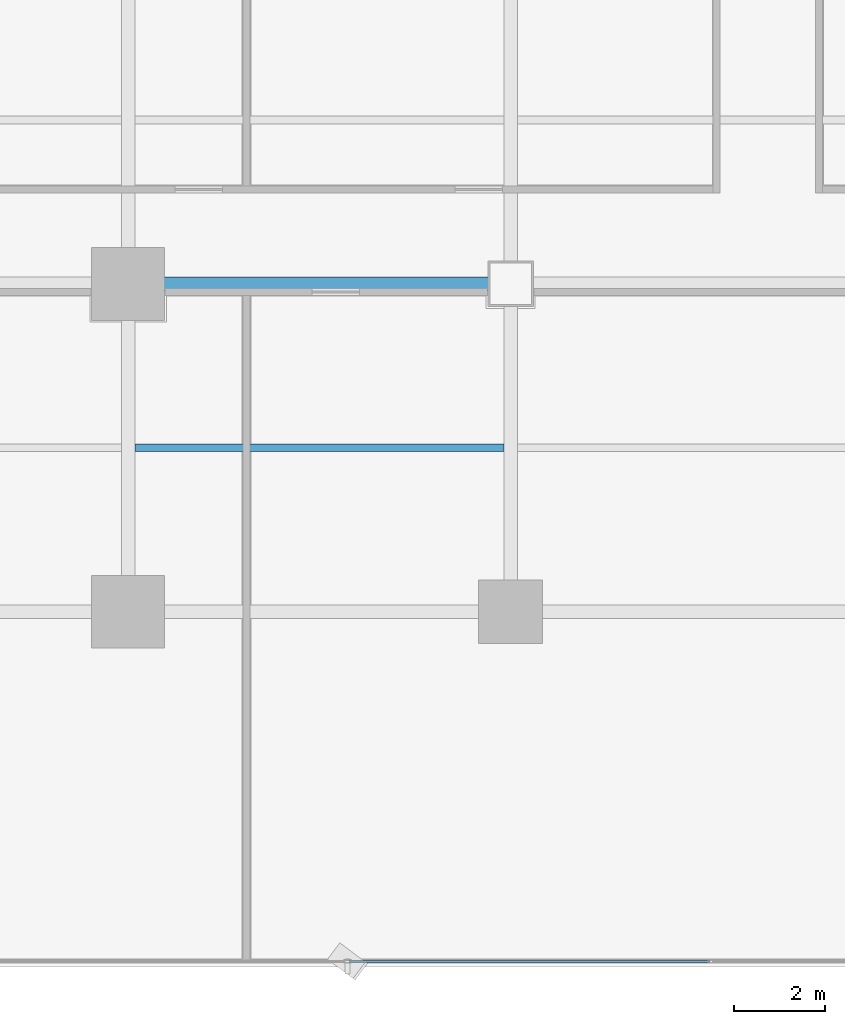
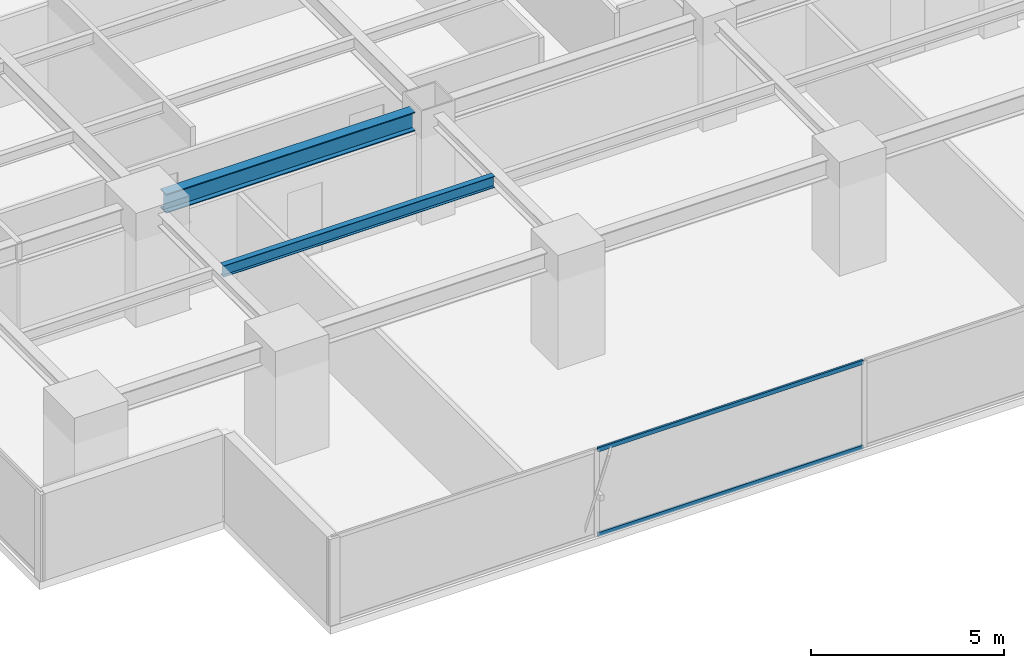
# One storey, part 5 of 34: 2 beams, 2 members, 1 element without a shape of its own.
"""IFC4 building model written with IfcOpenShell, lengths in metres."""

from ifc_helpers import new_model, si_unit, direction, frame, origin, origin_2d, place, context, subcontext, project, spatial, hollow_rectangle, i_section, extrude, source, transform, mapped, material, layer, layer_set, material_profile, profile_set, type_object, element, aggregate, save


model = new_model("IFC4")

# Units and contexts
model_context = context("Model", 3, precision=1e-05, world=origin(), true_north=direction((0.0, 1.0)))
body_context = subcontext(model_context, "Body", "Model", "MODEL_VIEW")
ifc_project = project(units=[si_unit("LENGTHUNIT", "METRE"), si_unit("AREAUNIT", "SQUARE_METRE"), si_unit("VOLUMEUNIT", "CUBIC_METRE"), si_unit("PLANEANGLEUNIT", "RADIAN"), si_unit("MASSUNIT", "GRAM", prefix="KILO")], contexts=[model_context])

# Site, building, storey
site_placement = place(None, origin())
site = spatial("IfcSite", under=ifc_project, at=site_placement, CompositionType="ELEMENT")
building_placement = place(site_placement, origin())
building = spatial("IfcBuilding", under=site, at=building_placement, Name="Sumidabori Civic Tower", CompositionType="ELEMENT")
storey_placement = place(building_placement, frame((0.0, 0.0, 99.199951171875)))
storey = spatial("IfcBuildingStorey", under=building, at=storey_placement, Name="L25", CompositionType="ELEMENT", Elevation=99.199951171875)

# Beams
ifc_material_1 = material(Name="Steel SN490", Category="steel")
ifc_material_profile_1 = material_profile(ifc_material_1, i_section(OverallWidth=0.300048828125, OverallDepth=0.60009765625, WebThickness=0.015380859375, FlangeThickness=0.030029296875, at=origin_2d()), Name="HE 600 B")
ifc_profile_set_1 = profile_set([ifc_material_profile_1], Name="Steel SN490")
beam_type_1 = type_object("IfcBeamType", Name="BM-GIRD-600", PredefinedType="BEAM", material=ifc_profile_set_1)
shared_shape_1 = source(origin(), body_context, "Body", "SweptSolid", [
    extrude(i_section(OverallWidth=0.300048828125, OverallDepth=0.60009765625, WebThickness=0.015380859375, FlangeThickness=0.030029296875, at=origin_2d()), origin(), (0.0, 0.0, 1.0), 7.440185546875),
])
beam_1_placement = place(storey_placement, frame((-16.320068359375, -10.800048828125, 3.06005859375), z_axis=(1.0, 0.0, 0.0), x_axis=(0.0, 1.0, 0.0)))
element("IfcBeam", 1, at=beam_1_placement, inside=storey, type_object=beam_type_1, Name="Primary Girder L25 GX-08", PredefinedType="BEAM", context=body_context, shape_type="MappedRepresentation", body=[
    mapped(shared_shape_1, transform((0.0, 0.0, 0.0), x_axis=(1.0, 0.0, 0.0), y_axis=(0.0, 1.0, 0.0), z_axis=(0.0, 0.0, 1.0), scale=1.0)),
])
ifc_material_profile_2 = material_profile(ifc_material_1, i_section(OverallWidth=0.169921875, OverallDepth=0.360107421875, WebThickness=0.008056640625, FlangeThickness=0.0126953125, at=origin_2d()), Name="IPE 360")
ifc_profile_set_2 = profile_set([ifc_material_profile_2], Name="Steel SN490")
beam_type_2 = type_object("IfcBeamType", Name="BM-JST-360", PredefinedType="JOIST", material=ifc_profile_set_2)
shared_shape_2 = source(origin(), body_context, "Body", "SweptSolid", [
    extrude(i_section(OverallWidth=0.169921875, OverallDepth=0.360107421875, WebThickness=0.008056640625, FlangeThickness=0.0126953125, at=origin_2d()), origin(), (0.0, 0.0, 1.0), 8.099853515625),
])
beam_2_placement = place(storey_placement, frame((-16.64990234375, -14.39990234375, 3.179931640625), z_axis=(1.0, 0.0, 0.0), x_axis=(0.0, 1.0, 0.0)))
element("IfcBeam", 2, at=beam_2_placement, inside=storey, type_object=beam_type_2, Name="South Bay Floor Joist L25 JSTS-55", PredefinedType="JOIST", context=body_context, shape_type="MappedRepresentation", body=[
    mapped(shared_shape_2, transform((0.0, 0.0, 0.0), x_axis=(1.0, 0.0, 0.0), y_axis=(0.0, 1.0, 0.0), z_axis=(0.0, 0.0, 1.0), scale=1.0)),
])

# Curtain wall, members
ifc_material_2 = material(Name="Anodised Bronze Aluminium AW-6063-T6", Category="aluminium")
ifc_layer = layer(ifc_material_2, 0.179931640625, Name="Anodised Bronze Aluminium AW-6063-T6")
ifc_layer_set = layer_set([ifc_layer], Name="Anodised Bronze Aluminium AW-6063-T6")
curtain_wall_type = type_object("IfcCurtainWallType", Name="CW-SYS-3", PredefinedType="NOTDEFINED", material=ifc_layer_set)
curtain_wall_placement = place(storey_placement, origin())
curtain_wall = element("IfcCurtainWall", 3, at=curtain_wall_placement, inside=storey, type_object=curtain_wall_type, Name="Curtain Wall CW:L25:R01", PredefinedType="NOTDEFINED")
ifc_material_profile_3 = material_profile(ifc_material_2, hollow_rectangle(XDim=0.06005859375, YDim=0.1298828125, WallThickness=0.0048828125, at=origin_2d()), Name="ALU TRANSOM 130x60")
ifc_profile_set_3 = profile_set([ifc_material_profile_3], Name="Anodised Bronze Aluminium AW-6063-T6")
member_type = type_object("IfcMemberType", Name="CW-TRN-130", PredefinedType="USERDEFINED", material=ifc_profile_set_3)
shared_shape_3 = source(origin(), body_context, "Body", "SweptSolid", [
    extrude(hollow_rectangle(XDim=0.06005859375, YDim=0.1298828125, WallThickness=0.0048828125, at=origin_2d()), origin(), (0.0, 0.0, 1.0), 7.9228515625),
])
member_1_placement = place(storey_placement, frame((-11.949462890625, -25.679931640625, 0.030029296875), z_axis=(1.0, 0.0, 0.0), x_axis=(0.0, 1.0, 0.0)))
member_1 = element("IfcMember", 4, at=member_1_placement, type_object=member_type, Name="CW-3 transom 2.1", ObjectType="TRANSOM", PredefinedType="USERDEFINED", context=body_context, shape_type="MappedRepresentation", body=[
    mapped(shared_shape_3, transform((0.0, 0.0, 0.0), x_axis=(1.0, 0.0, 0.0), y_axis=(0.0, 1.0, 0.0), z_axis=(0.0, 0.0, 1.0), scale=1.0)),
])
member_2_placement = place(storey_placement, frame((-11.949462890625, -25.679931640625, 2.7099609375), z_axis=(1.0, 0.0, 0.0), x_axis=(0.0, 1.0, 0.0)))
member_2 = element("IfcMember", 5, at=member_2_placement, type_object=member_type, Name="CW-3 transom 2.2", ObjectType="TRANSOM", PredefinedType="USERDEFINED", context=body_context, shape_type="MappedRepresentation", body=[
    mapped(shared_shape_3, transform((0.0, 0.0, 0.0), x_axis=(1.0, 0.0, 0.0), y_axis=(0.0, 1.0, 0.0), z_axis=(0.0, 0.0, 1.0), scale=1.0)),
])
aggregate(curtain_wall, [member_1, member_2])

save(model, "model.ifc")
